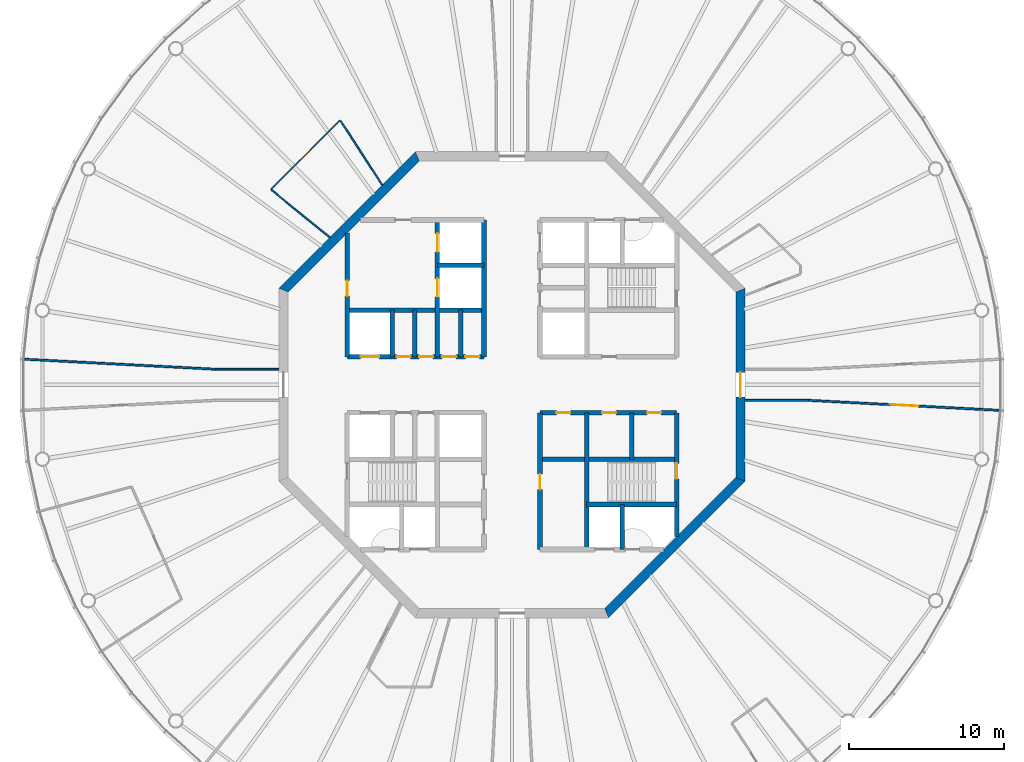
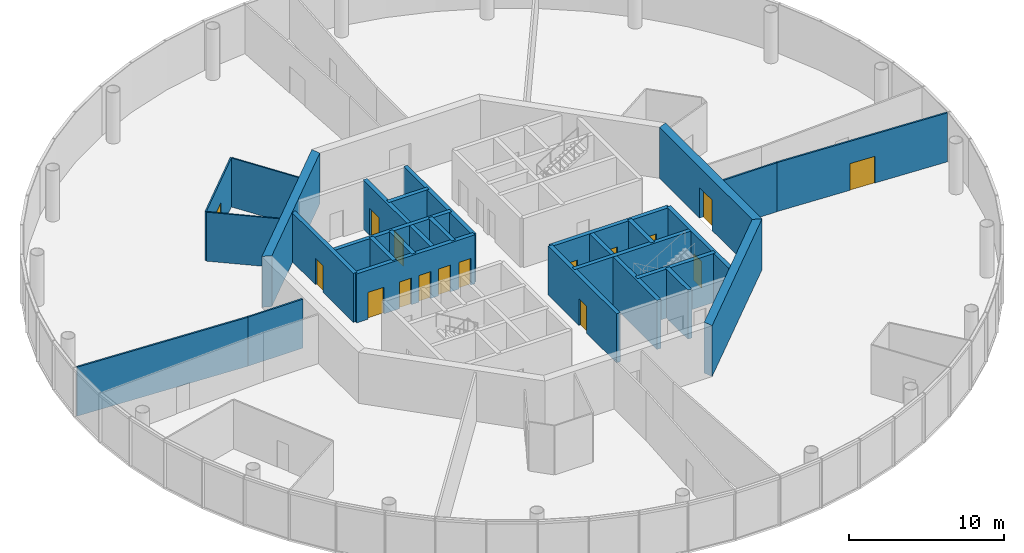
# One storey, part 4 of 13: 27 walls, 16 doors, 16 openings.
"""IFC4 building model written with IfcOpenShell, lengths in metres."""

from ifc_helpers import new_model, si_unit, direction, frame, frame_2d, origin, place, context, subcontext, project, spatial, polyline, rectangle, outline, extrude, material, layer, layer_set, type_object, element, fill, save


model = new_model("IFC4")

# Units and contexts
model_context = context("Model", 3, precision=1e-05, world=origin(), true_north=direction((0.0, 1.0)))
body_context = subcontext(model_context, "Body", "Model", "MODEL_VIEW")
ifc_project = project(units=[si_unit("LENGTHUNIT", "METRE"), si_unit("AREAUNIT", "SQUARE_METRE"), si_unit("VOLUMEUNIT", "CUBIC_METRE"), si_unit("PLANEANGLEUNIT", "RADIAN"), si_unit("MASSUNIT", "GRAM", prefix="KILO")], contexts=[model_context])

# Site, building, storey
site_placement = place(None, origin())
site = spatial("IfcSite", under=ifc_project, at=site_placement, CompositionType="ELEMENT")
building_placement = place(site_placement, origin())
building = spatial("IfcBuilding", under=site, at=building_placement, Name="Entoto Ring Tower", CompositionType="ELEMENT")
storey_placement = place(building_placement, frame((0.0, 0.0, 380.0)))
storey = spatial("IfcBuildingStorey", under=building, at=storey_placement, Name="L88", CompositionType="ELEMENT", Elevation=380.0)

# Wall, opening, door
ifc_material_1 = material(Name="Concrete C40/50", Category="concrete")
ifc_layer_1 = layer(ifc_material_1, 0.300048828125)
ifc_layer_set_1 = layer_set([ifc_layer_1], Name="Concrete C40/50")
wall_type_1 = type_object("IfcWallType", Name="Core enclosure wall 300 mm reinforced concrete", PredefinedType="SOLIDWALL", material=ifc_layer_set_1)
wall_1_placement = place(storey_placement, frame((100.60009765625, 70.2353515625, 0.0), z_axis=(0.0, 0.0, 1.0), x_axis=(0.0, 1.0, 0.0)))
wall_1 = element("IfcWall", 1, at=wall_1_placement, inside=storey, type_object=wall_type_1, Name="wall-L88-001", PredefinedType="SOLIDWALL", context=body_context, shape_type="SweptSolid", body=[
    extrude(rectangle(XDim=7.964599609375, YDim=0.300048828125, at=frame_2d((3.982421875, 0.0))), origin(), (0.0, 0.0, 1.0), 3.85009765625),
])
opening_1_placement = place(wall_1_placement, frame((3.714599609375, 0.0, 0.0)))
opening_1 = element("IfcOpeningElement", 2, at=opening_1_placement, cuts=wall_1, Name="Opening K-28", PredefinedType="OPENING", context=body_context, shape_type="SweptSolid", body=[
    extrude(rectangle(XDim=1.0, YDim=2.10009765625, at=frame_2d((0.5, 1.050048828125))), frame((0.0, 0.16015625, 0.0), z_axis=(0.0, -1.0, 0.0), x_axis=(1.0, 0.0, 0.0)), (0.0, 0.0, 1.0), 0.320068359375),
])
ifc_material_2 = material(Name="Steel door leaf, fire rated", Category="steel")
ifc_layer_2 = layer(ifc_material_2, 0.050048828125)
ifc_layer_set_2 = layer_set([ifc_layer_2], Name="Steel door leaf, fire rated")
door_type_1 = type_object("IfcDoorType", Name="Fire door FD60 1000 x 2100 single leaf", OperationType="NOTDEFINED", PredefinedType="DOOR", material=ifc_layer_set_2)
door_1_placement = place(opening_1_placement, origin())
door_1 = element("IfcDoor", 3, at=door_1_placement, inside=storey, type_object=door_type_1, Name="Door K-28", OperationType="SINGLE_SWING_RIGHT", OverallHeight=2.10009765625, OverallWidth=1.0, PredefinedType="DOOR", context=body_context, shape_type="SweptSolid", body=[
    extrude(rectangle(XDim=1.0, YDim=2.10009765625, at=frame_2d((0.5, 1.050048828125))), frame((0.0, 0.02490234375, 0.0), z_axis=(0.0, -1.0, 0.0), x_axis=(1.0, 0.0, 0.0)), (0.0, 0.0, 1.0), 0.050048828125),
])
fill(opening_1, door_1)

# Walls
wall_2_placement = place(storey_placement, frame((97.699951171875, 75.199951171875, 0.0), z_axis=(0.0, 0.0, 1.0), x_axis=(0.0, 1.0, 0.0)))
element("IfcWall", 4, at=wall_2_placement, inside=storey, type_object=wall_type_1, Name="wall-L88-003", PredefinedType="SOLIDWALL", context=body_context, shape_type="SweptSolid", body=[
    extrude(rectangle(XDim=3.0, YDim=0.300048828125, at=frame_2d((1.5, 0.0))), origin(), (0.0, 0.0, 1.0), 3.85009765625),
])
wall_3_placement = place(storey_placement, frame((97.10009765625, 69.39990234375, 0.0), z_axis=(0.0, 0.0, 1.0), x_axis=(0.0, 1.0, 0.0)))
element("IfcWall", 5, at=wall_3_placement, inside=storey, type_object=wall_type_1, Name="wall-L88-004", PredefinedType="SOLIDWALL", context=body_context, shape_type="SweptSolid", body=[
    extrude(rectangle(XDim=2.900146484375, YDim=0.300048828125, at=frame_2d((1.4501953125, 0.0))), origin(), (0.0, 0.0, 1.0), 3.85009765625),
])
wall_4_placement = place(storey_placement, frame((94.800048828125, 69.39990234375, 0.0), z_axis=(0.0, 0.0, 1.0), x_axis=(0.0, 1.0, 0.0)))
element("IfcWall", 6, at=wall_4_placement, inside=storey, type_object=wall_type_1, Name="wall-L88-006", PredefinedType="SOLIDWALL", context=body_context, shape_type="SweptSolid", body=[
    extrude(rectangle(XDim=8.800048828125, YDim=0.300048828125, at=frame_2d((4.39990234375, 0.0))), origin(), (0.0, 0.0, 1.0), 3.85009765625),
])

# Wall, opening, door
wall_5_placement = place(storey_placement, frame((91.800048828125, 69.39990234375, 0.0), z_axis=(0.0, 0.0, 1.0), x_axis=(0.0, 1.0, 0.0)))
wall_5 = element("IfcWall", 7, at=wall_5_placement, inside=storey, type_object=wall_type_1, Name="wall-L88-008", PredefinedType="SOLIDWALL", context=body_context, shape_type="SweptSolid", body=[
    extrude(rectangle(XDim=8.800048828125, YDim=0.300048828125, at=frame_2d((4.39990234375, 0.0))), origin(), (0.0, 0.0, 1.0), 3.85009765625),
])
opening_2_placement = place(wall_5_placement, frame((3.85009765625, 0.0, 0.0)))
opening_2 = element("IfcOpeningElement", 8, at=opening_2_placement, cuts=wall_5, Name="Opening K-64", PredefinedType="OPENING", context=body_context, shape_type="SweptSolid", body=[
    extrude(rectangle(XDim=1.0, YDim=2.10009765625, at=frame_2d((0.5, 1.050048828125))), frame((0.0, 0.16015625, 0.0), z_axis=(0.0, -1.0, 0.0), x_axis=(1.0, 0.0, 0.0)), (0.0, 0.0, 1.0), 0.320068359375),
])
ifc_material_3 = material(Name="Steel door leaf, fire rated", Category="steel")
ifc_layer_3 = layer(ifc_material_3, 0.050048828125)
ifc_layer_set_3 = layer_set([ifc_layer_3], Name="Steel door leaf, fire rated")
door_type_2 = type_object("IfcDoorType", Name="Accessible door 1000 x 2100 single leaf", OperationType="NOTDEFINED", PredefinedType="DOOR", material=ifc_layer_set_3)
door_2_placement = place(opening_2_placement, frame((1.0, 0.0, 0.0), z_axis=(0.0, 0.0, 1.0), x_axis=(-1.0, 0.0, 0.0)))
door_2 = element("IfcDoor", 9, at=door_2_placement, inside=storey, type_object=door_type_2, Name="Door K-64", OperationType="SINGLE_SWING_LEFT", OverallHeight=2.10009765625, OverallWidth=1.0, PredefinedType="DOOR", context=body_context, shape_type="SweptSolid", body=[
    extrude(rectangle(XDim=1.0, YDim=2.10009765625, at=frame_2d((0.5, 1.050048828125))), frame((0.0, 0.02490234375, 0.0), z_axis=(0.0, -1.0, 0.0), x_axis=(1.0, 0.0, 0.0)), (0.0, 0.0, 1.0), 0.050048828125),
])
fill(opening_2, door_2)

# Walls
wall_6_placement = place(storey_placement, frame((88.199951171875, 81.800048828125, 0.0), z_axis=(0.0, 0.0, 1.0), x_axis=(0.0, 1.0, 0.0)))
element("IfcWall", 10, at=wall_6_placement, inside=storey, type_object=wall_type_1, Name="wall-L88-011", PredefinedType="SOLIDWALL", context=body_context, shape_type="SweptSolid", body=[
    extrude(rectangle(XDim=8.800048828125, YDim=0.300048828125, at=frame_2d((4.39990234375, 0.0))), origin(), (0.0, 0.0, 1.0), 3.85009765625),
])
wall_7_placement = place(storey_placement, frame((86.699951171875, 81.800048828125, 0.0), z_axis=(0.0, 0.0, 1.0), x_axis=(0.0, 1.0, 0.0)))
element("IfcWall", 11, at=wall_7_placement, inside=storey, type_object=wall_type_1, Name="wall-L88-012", PredefinedType="SOLIDWALL", context=body_context, shape_type="SweptSolid", body=[
    extrude(rectangle(XDim=3.0, YDim=0.300048828125, at=frame_2d((1.5, 0.0))), origin(), (0.0, 0.0, 1.0), 3.85009765625),
])

# Wall, openings, doors
wall_8_placement = place(storey_placement, frame((85.199951171875, 81.800048828125, 0.0), z_axis=(0.0, 0.0, 1.0), x_axis=(0.0, 1.0, 0.0)))
wall_8 = element("IfcWall", 12, at=wall_8_placement, inside=storey, type_object=wall_type_1, Name="wall-L88-014", PredefinedType="SOLIDWALL", context=body_context, shape_type="SweptSolid", body=[
    extrude(rectangle(XDim=8.800048828125, YDim=0.300048828125, at=frame_2d((4.39990234375, 0.0))), origin(), (0.0, 0.0, 1.0), 3.85009765625),
])
opening_3_placement = place(wall_8_placement, frame((3.85009765625, 0.0, 0.0)))
opening_3 = element("IfcOpeningElement", 13, at=opening_3_placement, cuts=wall_8, Name="Opening LD", PredefinedType="OPENING", context=body_context, shape_type="SweptSolid", body=[
    extrude(rectangle(XDim=1.199951171875, YDim=2.10009765625, at=frame_2d((0.60009765625, 1.050048828125))), frame((0.0, 0.16015625, 0.0), z_axis=(0.0, -1.0, 0.0), x_axis=(1.0, 0.0, 0.0)), (0.0, 0.0, 1.0), 0.320068359375),
])
opening_4_placement = place(wall_8_placement, frame((6.75, 0.0, 0.0)))
opening_4 = element("IfcOpeningElement", 14, at=opening_4_placement, cuts=wall_8, Name="Opening LD", PredefinedType="OPENING", context=body_context, shape_type="SweptSolid", body=[
    extrude(rectangle(XDim=1.199951171875, YDim=2.10009765625, at=frame_2d((0.60009765625, 1.050048828125))), frame((0.0, 0.16015625, 0.0), z_axis=(0.0, -1.0, 0.0), x_axis=(1.0, 0.0, 0.0)), (0.0, 0.0, 1.0), 0.320068359375),
])
ifc_material_4 = material(Name="Steel and glass door leaf", Category="steel")
ifc_layer_4 = layer(ifc_material_4, 0.050048828125)
ifc_layer_set_4 = layer_set([ifc_layer_4], Name="Steel and glass door leaf")
door_type_3 = type_object("IfcDoorType", Name="Landing door 1200 x 2100 sliding", OperationType="DOUBLE_DOOR_SLIDING", PredefinedType="DOOR", material=ifc_layer_set_4)
door_3_placement = place(opening_3_placement, origin())
door_3 = element("IfcDoor", 15, at=door_3_placement, inside=storey, type_object=door_type_3, Name="Landing door FF1", OperationType="SLIDING_TO_RIGHT", OverallHeight=2.10009765625, OverallWidth=1.199951171875, PredefinedType="DOOR", context=body_context, shape_type="SweptSolid", body=[
    extrude(rectangle(XDim=1.199951171875, YDim=2.10009765625, at=frame_2d((0.60009765625, 1.050048828125))), frame((0.0, 0.02490234375, 0.0), z_axis=(0.0, -1.0, 0.0), x_axis=(1.0, 0.0, 0.0)), (0.0, 0.0, 1.0), 0.050048828125),
])
fill(opening_3, door_3)
door_4_placement = place(opening_4_placement, origin())
door_4 = element("IfcDoor", 16, at=door_4_placement, inside=storey, type_object=door_type_3, Name="Landing door FF2", OperationType="SLIDING_TO_RIGHT", OverallHeight=2.10009765625, OverallWidth=1.199951171875, PredefinedType="DOOR", context=body_context, shape_type="SweptSolid", body=[
    extrude(rectangle(XDim=1.199951171875, YDim=2.10009765625, at=frame_2d((0.60009765625, 1.050048828125))), frame((0.0, 0.02490234375, 0.0), z_axis=(0.0, -1.0, 0.0), x_axis=(1.0, 0.0, 0.0)), (0.0, 0.0, 1.0), 0.050048828125),
])
fill(opening_4, door_4)

# Walls
for number, where, z_axis, x_axis, name in (
    (17, (83.75, 81.800048828125, 0.0), (0.0, 0.0, 1.0), (0.0, 1.0, 0.0), "wall-L88-016"),
    (18, (82.300048828125, 81.800048828125, 0.0), (0.0, 0.0, 1.0), (0.0, 1.0, 0.0), "wall-L88-019"),
):
    element("IfcWall", number, at=place(storey_placement, frame(where, z_axis=z_axis, x_axis=x_axis)), inside=storey, type_object=wall_type_1, Name=name, PredefinedType="SOLIDWALL", context=body_context, shape_type="SweptSolid", body=[
        extrude(rectangle(XDim=3.0, YDim=0.300048828125, at=frame_2d((1.5, 0.0))), origin(), (0.0, 0.0, 1.0), 3.85009765625),
    ])

# Wall, opening, door
wall_9_placement = place(storey_placement, frame((79.39990234375, 81.800048828125, 0.0), z_axis=(0.0, 0.0, 1.0), x_axis=(0.0, 1.0, 0.0)))
wall_9 = element("IfcWall", 19, at=wall_9_placement, inside=storey, type_object=wall_type_1, Name="wall-L88-021", PredefinedType="SOLIDWALL", context=body_context, shape_type="SweptSolid", body=[
    extrude(rectangle(XDim=7.964599609375, YDim=0.300048828125, at=frame_2d((3.982421875, 0.0))), origin(), (0.0, 0.0, 1.0), 3.85009765625),
])
opening_5_placement = place(wall_9_placement, frame((3.89990234375, 0.0, 0.0)))
opening_5 = element("IfcOpeningElement", 20, at=opening_5_placement, cuts=wall_9, Name="Opening K-86", PredefinedType="OPENING", context=body_context, shape_type="SweptSolid", body=[
    extrude(rectangle(XDim=1.0, YDim=2.10009765625, at=frame_2d((0.5, 1.050048828125))), frame((0.0, 0.16015625, 0.0), z_axis=(0.0, -1.0, 0.0), x_axis=(1.0, 0.0, 0.0)), (0.0, 0.0, 1.0), 0.320068359375),
])
door_5_placement = place(opening_5_placement, frame((1.0, 0.0, 0.0), z_axis=(0.0, 0.0, 1.0), x_axis=(-1.0, 0.0, 0.0)))
door_5 = element("IfcDoor", 21, at=door_5_placement, inside=storey, type_object=door_type_1, Name="Door K-86", OperationType="SINGLE_SWING_RIGHT", OverallHeight=2.10009765625, OverallWidth=1.0, PredefinedType="DOOR", context=body_context, shape_type="SweptSolid", body=[
    extrude(rectangle(XDim=1.0, YDim=2.10009765625, at=frame_2d((0.5, 1.050048828125))), frame((0.0, 0.02490234375, 0.0), z_axis=(0.0, -1.0, 0.0), x_axis=(1.0, 0.0, 0.0)), (0.0, 0.0, 1.0), 0.050048828125),
])
fill(opening_5, door_5)

# Walls
wall_10_placement = place(storey_placement, frame((94.800048828125, 72.300048828125, 0.0), z_axis=(0.0, 0.0, 1.0), x_axis=(1.0, 0.0, 0.0)))
element("IfcWall", 22, at=wall_10_placement, inside=storey, type_object=wall_type_1, Name="wall-L88-025", PredefinedType="SOLIDWALL", context=body_context, shape_type="SweptSolid", body=[
    extrude(rectangle(XDim=5.800048828125, YDim=0.300048828125, at=frame_2d((2.89990234375, 0.0))), origin(), (0.0, 0.0, 1.0), 3.85009765625),
])
wall_11_placement = place(storey_placement, frame((91.800048828125, 75.199951171875, 0.0), z_axis=(0.0, 0.0, 1.0), x_axis=(1.0, 0.0, 0.0)))
element("IfcWall", 23, at=wall_11_placement, inside=storey, type_object=wall_type_1, Name="wall-L88-027", PredefinedType="SOLIDWALL", context=body_context, shape_type="SweptSolid", body=[
    extrude(rectangle(XDim=8.800048828125, YDim=0.300048828125, at=frame_2d((4.39990234375, 0.0))), origin(), (0.0, 0.0, 1.0), 3.85009765625),
])

# Wall, openings, doors
wall_12_placement = place(storey_placement, frame((91.800048828125, 78.199951171875, 0.0), z_axis=(0.0, 0.0, 1.0), x_axis=(1.0, 0.0, 0.0)))
wall_12 = element("IfcWall", 24, at=wall_12_placement, inside=storey, type_object=wall_type_1, Name="wall-L88-029", PredefinedType="SOLIDWALL", context=body_context, shape_type="SweptSolid", body=[
    extrude(rectangle(XDim=8.800048828125, YDim=0.300048828125, at=frame_2d((4.39990234375, 0.0))), origin(), (0.0, 0.0, 1.0), 3.85009765625),
])
opening_6_placement = place(wall_12_placement, frame((4.0, 0.0, 0.0)))
opening_6 = element("IfcOpeningElement", 25, at=opening_6_placement, cuts=wall_12, Name="Opening K-14", PredefinedType="OPENING", context=body_context, shape_type="SweptSolid", body=[
    extrude(rectangle(XDim=0.89990234375, YDim=2.10009765625, at=frame_2d((0.449951171875, 1.050048828125))), frame((0.0, 0.16015625, 0.0), z_axis=(0.0, -1.0, 0.0), x_axis=(1.0, 0.0, 0.0)), (0.0, 0.0, 1.0), 0.320068359375),
])
opening_7_placement = place(wall_12_placement, frame((6.89990234375, 0.0, 0.0)))
opening_7 = element("IfcOpeningElement", 26, at=opening_7_placement, cuts=wall_12, Name="Opening K-15", PredefinedType="OPENING", context=body_context, shape_type="SweptSolid", body=[
    extrude(rectangle(XDim=0.89990234375, YDim=2.10009765625, at=frame_2d((0.449951171875, 1.050048828125))), frame((0.0, 0.16015625, 0.0), z_axis=(0.0, -1.0, 0.0), x_axis=(1.0, 0.0, 0.0)), (0.0, 0.0, 1.0), 0.320068359375),
])
opening_8_placement = place(wall_12_placement, frame((1.050048828125, 0.0, 0.0)))
opening_8 = element("IfcOpeningElement", 27, at=opening_8_placement, cuts=wall_12, Name="Opening K-25", PredefinedType="OPENING", context=body_context, shape_type="SweptSolid", body=[
    extrude(rectangle(XDim=0.89990234375, YDim=2.10009765625, at=frame_2d((0.449951171875, 1.050048828125))), frame((0.0, 0.16015625, 0.0), z_axis=(0.0, -1.0, 0.0), x_axis=(1.0, 0.0, 0.0)), (0.0, 0.0, 1.0), 0.320068359375),
])
ifc_material_5 = material(Name="Steel door leaf, fire rated", Category="steel")
ifc_layer_5 = layer(ifc_material_5, 0.050048828125)
ifc_layer_set_5 = layer_set([ifc_layer_5], Name="Steel door leaf, fire rated")
door_type_4 = type_object("IfcDoorType", Name="Core door 900 x 2100 single leaf", OperationType="NOTDEFINED", PredefinedType="DOOR", material=ifc_layer_set_5)
door_6_placement = place(opening_6_placement, frame((0.89990234375, 0.0, 0.0), z_axis=(0.0, 0.0, 1.0), x_axis=(-1.0, 0.0, 0.0)))
door_6 = element("IfcDoor", 28, at=door_6_placement, inside=storey, type_object=door_type_4, Name="Door K-14", OperationType="SINGLE_SWING_RIGHT", OverallHeight=2.10009765625, OverallWidth=0.89990234375, PredefinedType="DOOR", context=body_context, shape_type="SweptSolid", body=[
    extrude(rectangle(XDim=0.89990234375, YDim=2.10009765625, at=frame_2d((0.449951171875, 1.050048828125))), frame((0.0, 0.02490234375, 0.0), z_axis=(0.0, -1.0, 0.0), x_axis=(1.0, 0.0, 0.0)), (0.0, 0.0, 1.0), 0.050048828125),
])
fill(opening_6, door_6)
door_7_placement = place(opening_7_placement, frame((0.89990234375, 0.0, 0.0), z_axis=(0.0, 0.0, 1.0), x_axis=(-1.0, 0.0, 0.0)))
door_7 = element("IfcDoor", 29, at=door_7_placement, inside=storey, type_object=door_type_4, Name="Door K-15", OperationType="SINGLE_SWING_LEFT", OverallHeight=2.10009765625, OverallWidth=0.89990234375, PredefinedType="DOOR", context=body_context, shape_type="SweptSolid", body=[
    extrude(rectangle(XDim=0.89990234375, YDim=2.10009765625, at=frame_2d((0.449951171875, 1.050048828125))), frame((0.0, 0.02490234375, 0.0), z_axis=(0.0, -1.0, 0.0), x_axis=(1.0, 0.0, 0.0)), (0.0, 0.0, 1.0), 0.050048828125),
])
fill(opening_7, door_7)
door_8_placement = place(opening_8_placement, frame((0.89990234375, 0.0, 0.0), z_axis=(0.0, 0.0, 1.0), x_axis=(-1.0, 0.0, 0.0)))
door_8 = element("IfcDoor", 30, at=door_8_placement, inside=storey, type_object=door_type_4, Name="Door K-25", OperationType="SINGLE_SWING_RIGHT", OverallHeight=2.10009765625, OverallWidth=0.89990234375, PredefinedType="DOOR", context=body_context, shape_type="SweptSolid", body=[
    extrude(rectangle(XDim=0.89990234375, YDim=2.10009765625, at=frame_2d((0.449951171875, 1.050048828125))), frame((0.0, 0.02490234375, 0.0), z_axis=(0.0, -1.0, 0.0), x_axis=(1.0, 0.0, 0.0)), (0.0, 0.0, 1.0), 0.050048828125),
])
fill(opening_8, door_8)

wall_13_placement = place(storey_placement, frame((79.39990234375, 81.800048828125, 0.0), z_axis=(0.0, 0.0, 1.0), x_axis=(1.0, 0.0, 0.0)))
wall_13 = element("IfcWall", 31, at=wall_13_placement, inside=storey, type_object=wall_type_1, Name="wall-L88-030", PredefinedType="SOLIDWALL", context=body_context, shape_type="SweptSolid", body=[
    extrude(rectangle(XDim=8.800048828125, YDim=0.300048828125, at=frame_2d((4.39990234375, 0.0))), origin(), (0.0, 0.0, 1.0), 3.85009765625),
])
opening_9_placement = place(wall_13_placement, frame((0.85009765625, 0.0, 0.0)))
opening_9 = element("IfcOpeningElement", 32, at=opening_9_placement, cuts=wall_13, Name="Opening LD", PredefinedType="OPENING", context=body_context, shape_type="SweptSolid", body=[
    extrude(rectangle(XDim=1.199951171875, YDim=2.10009765625, at=frame_2d((0.60009765625, 1.050048828125))), frame((0.0, 0.16015625, 0.0), z_axis=(0.0, -1.0, 0.0), x_axis=(1.0, 0.0, 0.0)), (0.0, 0.0, 1.0), 0.320068359375),
])
opening_10_placement = place(wall_13_placement, frame((3.175048828125, 0.0, 0.0)))
opening_10 = element("IfcOpeningElement", 33, at=opening_10_placement, cuts=wall_13, Name="Opening K-12", PredefinedType="OPENING", context=body_context, shape_type="SweptSolid", body=[
    extrude(rectangle(XDim=0.89990234375, YDim=2.10009765625, at=frame_2d((0.449951171875, 1.050048828125))), frame((0.0, 0.16015625, 0.0), z_axis=(0.0, -1.0, 0.0), x_axis=(1.0, 0.0, 0.0)), (0.0, 0.0, 1.0), 0.320068359375),
])
opening_11_placement = place(wall_13_placement, frame((4.625, 0.0, 0.0)))
opening_11 = element("IfcOpeningElement", 34, at=opening_11_placement, cuts=wall_13, Name="Opening K-46", PredefinedType="OPENING", context=body_context, shape_type="SweptSolid", body=[
    extrude(rectangle(XDim=0.89990234375, YDim=2.10009765625, at=frame_2d((0.449951171875, 1.050048828125))), frame((0.0, 0.16015625, 0.0), z_axis=(0.0, -1.0, 0.0), x_axis=(1.0, 0.0, 0.0)), (0.0, 0.0, 1.0), 0.320068359375),
])
opening_12_placement = place(wall_13_placement, frame((6.10009765625, 0.0, 0.0)))
opening_12 = element("IfcOpeningElement", 35, at=opening_12_placement, cuts=wall_13, Name="Opening K-71", PredefinedType="OPENING", context=body_context, shape_type="SweptSolid", body=[
    extrude(rectangle(XDim=0.89990234375, YDim=2.10009765625, at=frame_2d((0.449951171875, 1.050048828125))), frame((0.0, 0.16015625, 0.0), z_axis=(0.0, -1.0, 0.0), x_axis=(1.0, 0.0, 0.0)), (0.0, 0.0, 1.0), 0.320068359375),
])
opening_13_placement = place(wall_13_placement, frame((7.60009765625, 0.0, 0.0)))
opening_13 = element("IfcOpeningElement", 36, at=opening_13_placement, cuts=wall_13, Name="Opening K-24", PredefinedType="OPENING", context=body_context, shape_type="SweptSolid", body=[
    extrude(rectangle(XDim=0.89990234375, YDim=2.10009765625, at=frame_2d((0.449951171875, 1.050048828125))), frame((0.0, 0.16015625, 0.0), z_axis=(0.0, -1.0, 0.0), x_axis=(1.0, 0.0, 0.0)), (0.0, 0.0, 1.0), 0.320068359375),
])
door_9_placement = place(opening_10_placement, origin())
door_9 = element("IfcDoor", 37, at=door_9_placement, inside=storey, type_object=door_type_4, Name="Door K-12", OperationType="SINGLE_SWING_RIGHT", OverallHeight=2.10009765625, OverallWidth=0.89990234375, PredefinedType="DOOR", context=body_context, shape_type="SweptSolid", body=[
    extrude(rectangle(XDim=0.89990234375, YDim=2.10009765625, at=frame_2d((0.449951171875, 1.050048828125))), frame((0.0, 0.02490234375, 0.0), z_axis=(0.0, -1.0, 0.0), x_axis=(1.0, 0.0, 0.0)), (0.0, 0.0, 1.0), 0.050048828125),
])
fill(opening_10, door_9)
door_10_placement = place(opening_11_placement, origin())
door_10 = element("IfcDoor", 38, at=door_10_placement, inside=storey, type_object=door_type_4, Name="Door K-46", OperationType="SINGLE_SWING_RIGHT", OverallHeight=2.10009765625, OverallWidth=0.89990234375, PredefinedType="DOOR", context=body_context, shape_type="SweptSolid", body=[
    extrude(rectangle(XDim=0.89990234375, YDim=2.10009765625, at=frame_2d((0.449951171875, 1.050048828125))), frame((0.0, 0.02490234375, 0.0), z_axis=(0.0, -1.0, 0.0), x_axis=(1.0, 0.0, 0.0)), (0.0, 0.0, 1.0), 0.050048828125),
])
fill(opening_11, door_10)
door_11_placement = place(opening_12_placement, origin())
door_11 = element("IfcDoor", 39, at=door_11_placement, inside=storey, type_object=door_type_4, Name="Door K-71", OperationType="SINGLE_SWING_LEFT", OverallHeight=2.10009765625, OverallWidth=0.89990234375, PredefinedType="DOOR", context=body_context, shape_type="SweptSolid", body=[
    extrude(rectangle(XDim=0.89990234375, YDim=2.10009765625, at=frame_2d((0.449951171875, 1.050048828125))), frame((0.0, 0.02490234375, 0.0), z_axis=(0.0, -1.0, 0.0), x_axis=(1.0, 0.0, 0.0)), (0.0, 0.0, 1.0), 0.050048828125),
])
fill(opening_12, door_11)
door_12_placement = place(opening_13_placement, origin())
door_12 = element("IfcDoor", 40, at=door_12_placement, inside=storey, type_object=door_type_4, Name="Door K-24", OperationType="SINGLE_SWING_LEFT", OverallHeight=2.10009765625, OverallWidth=0.89990234375, PredefinedType="DOOR", context=body_context, shape_type="SweptSolid", body=[
    extrude(rectangle(XDim=0.89990234375, YDim=2.10009765625, at=frame_2d((0.449951171875, 1.050048828125))), frame((0.0, 0.02490234375, 0.0), z_axis=(0.0, -1.0, 0.0), x_axis=(1.0, 0.0, 0.0)), (0.0, 0.0, 1.0), 0.050048828125),
])
fill(opening_13, door_12)
door_13_placement = place(opening_9_placement, origin())
door_13 = element("IfcDoor", 41, at=door_13_placement, inside=storey, type_object=door_type_3, Name="Landing door SH1", OperationType="SLIDING_TO_RIGHT", OverallHeight=2.10009765625, OverallWidth=1.199951171875, PredefinedType="DOOR", context=body_context, shape_type="SweptSolid", body=[
    extrude(rectangle(XDim=1.199951171875, YDim=2.10009765625, at=frame_2d((0.60009765625, 1.050048828125))), frame((0.0, 0.02490234375, 0.0), z_axis=(0.0, -1.0, 0.0), x_axis=(1.0, 0.0, 0.0)), (0.0, 0.0, 1.0), 0.050048828125),
])
fill(opening_9, door_13)

# Walls
wall_14_placement = place(storey_placement, frame((79.39990234375, 84.800048828125, 0.0), z_axis=(0.0, 0.0, 1.0), x_axis=(1.0, 0.0, 0.0)))
element("IfcWall", 42, at=wall_14_placement, inside=storey, type_object=wall_type_1, Name="wall-L88-032", PredefinedType="SOLIDWALL", context=body_context, shape_type="SweptSolid", body=[
    extrude(rectangle(XDim=8.800048828125, YDim=0.300048828125, at=frame_2d((4.39990234375, 0.0))), origin(), (0.0, 0.0, 1.0), 3.85009765625),
])
wall_15_placement = place(storey_placement, frame((85.199951171875, 87.699951171875, 0.0), z_axis=(0.0, 0.0, 1.0), x_axis=(1.0, 0.0, 0.0)))
element("IfcWall", 43, at=wall_15_placement, inside=storey, type_object=wall_type_1, Name="wall-L88-035", PredefinedType="SOLIDWALL", context=body_context, shape_type="SweptSolid", body=[
    extrude(rectangle(XDim=3.0, YDim=0.300048828125, at=frame_2d((1.5, 0.0))), origin(), (0.0, 0.0, 1.0), 3.85009765625),
])

# Wall, opening, door
ifc_material_6 = material(Name="Concrete C40/50", Category="concrete")
ifc_layer_6 = layer(ifc_material_6, 0.60009765625)
ifc_layer_set_6 = layer_set([ifc_layer_6], Name="Concrete C40/50")
wall_type_2 = type_object("IfcWallType", Name="Core shear wall 600 mm reinforced concrete C40/50", PredefinedType="SHEAR", material=ifc_layer_set_6)
wall_16_placement = place(storey_placement, frame((104.699951171875, 73.9111328125, 0.0), z_axis=(0.0, 0.0, 1.0), x_axis=(0.0, 1.0, 0.0)))
wall_16 = element("IfcWall", 44, at=wall_16_placement, inside=storey, type_object=wall_type_2, Name="wall-L88-core-0", PredefinedType="SHEAR", context=body_context, shape_type="SweptSolid", body=[
    extrude(outline(polyline([(-0.124267578125, -0.300048828125), (12.302001953125, -0.300048828125), (12.053466796875, 0.300048828125), (0.124267578125, 0.300048828125), (-0.124267578125, -0.300048828125)])), origin(), (0.0, 0.0, 1.0), 4.0),
])
opening_14_placement = place(wall_16_placement, frame((5.288818359375, 0.0, 0.0)))
opening_14 = element("IfcOpeningElement", 45, at=opening_14_placement, cuts=wall_16, Name="Opening K-01", PredefinedType="OPENING", context=body_context, shape_type="SweptSolid", body=[
    extrude(rectangle(XDim=1.60009765625, YDim=2.39990234375, at=frame_2d((0.800048828125, 1.199951171875))), frame((0.0, 0.31005859375, 0.0), z_axis=(0.0, -1.0, 0.0), x_axis=(1.0, 0.0, 0.0)), (0.0, 0.0, 1.0), 0.6201171875),
])
ifc_material_7 = material(Name="Steel door leaf, fire rated", Category="steel")
ifc_layer_7 = layer(ifc_material_7, 0.050048828125)
ifc_layer_set_7 = layer_set([ifc_layer_7], Name="Steel door leaf, fire rated")
door_type_5 = type_object("IfcDoorType", Name="Entrance door FD60 1600 x 2400 double leaf", OperationType="DOUBLE_DOOR_SINGLE_SWING", PredefinedType="DOOR", material=ifc_layer_set_7)
door_14_placement = place(opening_14_placement, origin())
door_14 = element("IfcDoor", 46, at=door_14_placement, inside=storey, type_object=door_type_5, Name="Entrance door K-01", OperationType="DOUBLE_DOOR_SINGLE_SWING", OverallHeight=2.39990234375, OverallWidth=1.60009765625, PredefinedType="DOOR", context=body_context, shape_type="SweptSolid", body=[
    extrude(rectangle(XDim=1.60009765625, YDim=2.39990234375, at=frame_2d((0.800048828125, 1.199951171875))), frame((0.0, 0.02490234375, 0.0), z_axis=(0.0, -1.0, 0.0), x_axis=(1.0, 0.0, 0.0)), (0.0, 0.0, 1.0), 0.050048828125),
])
fill(opening_14, door_14)

# Walls
for number, where, z_axis, x_axis, name in (
    (47, (83.9111328125, 94.699951171875, 0.0), (0.0, 0.0, 1.0), (-0.707106781187, -0.707106781187, 0.0), "wall-L88-core-3"),
    (48, (96.0888671875, 65.300048828125, 0.0), (0.0, 0.0, 1.0), (0.707106781187, 0.707106781187, 0.0), "wall-L88-core-7"),
):
    element("IfcWall", number, at=place(storey_placement, frame(where, z_axis=z_axis, x_axis=x_axis)), inside=storey, type_object=wall_type_2, Name=name, PredefinedType="SHEAR", context=body_context, shape_type="SweptSolid", body=[
        extrude(outline(polyline([(-0.124267578125, -0.300048828125), (12.30224609375, -0.300048828125), (12.0537109375, 0.300048828125), (0.124267578125, 0.300048828125), (-0.124267578125, -0.300048828125)])), origin(), (0.0, 0.0, 1.0), 4.0),
    ])
ifc_material_8 = material(Name="Fire-resisting plasterboard on steel studs", Category="steel")
ifc_layer_8 = layer(ifc_material_8, 0.125)
ifc_layer_set_8 = layer_set([ifc_layer_8], Name="Fire-resisting plasterboard on steel studs")
wall_type_3 = type_object("IfcWallType", Name="Corridor wall 125 mm one-hour plasterboard on steel studs", PredefinedType="PARTITIONING", material=ifc_layer_set_8)
wall_17_placement = place(storey_placement, frame((70.9189453125, 81.0, 0.0), z_axis=(0.0, 0.0, 1.0), x_axis=(-0.998629289366, 0.052340638328, 0.0)))
element("IfcWall", 49, at=wall_17_placement, inside=storey, type_object=wall_type_3, Name="partition-L88-002", PredefinedType="PARTITIONING", context=body_context, shape_type="SweptSolid", body=[
    extrude(rectangle(XDim=12.332763671875, YDim=0.125, at=frame_2d((6.16650390625, 0.0))), origin(), (0.0, 0.0, 1.0), 3.85009765625),
])

# Wall, opening, door
wall_18_placement = place(storey_placement, frame((121.39697265625, 78.3544921875, 0.0), z_axis=(0.0, 0.0, 1.0), x_axis=(-0.998629289366, 0.052340638328, 0.0)))
wall_18 = element("IfcWall", 50, at=wall_18_placement, inside=storey, type_object=wall_type_3, Name="partition-L88-008", PredefinedType="PARTITIONING", context=body_context, shape_type="SweptSolid", body=[
    extrude(rectangle(XDim=12.332763671875, YDim=0.125, at=frame_2d((6.16650390625, 0.0))), origin(), (0.0, 0.0, 1.0), 3.85009765625),
])
opening_15_placement = place(wall_18_placement, frame((5.266357421875, 0.0, 0.0)))
opening_15 = element("IfcOpeningElement", 51, at=opening_15_placement, cuts=wall_18, Name="Opening A37-D10", PredefinedType="OPENING", context=body_context, shape_type="SweptSolid", body=[
    extrude(rectangle(XDim=1.800048828125, YDim=2.10009765625, at=frame_2d((0.89990234375, 1.050048828125))), frame((0.0, 0.072509765625, 0.0), z_axis=(0.0, -1.0, 0.0), x_axis=(1.0, 0.0, 0.0)), (0.0, 0.0, 1.0), 0.14501953125),
])
ifc_material_9 = material(Name="Fire-resisting timber door set", Category="wood")
door_type_6 = type_object("IfcDoorType", Name="Door 1800 x 2100 double leaf FD30S fire door", OperationType="DOUBLE_DOOR_SINGLE_SWING", PredefinedType="DOOR", material=ifc_material_9)
door_15_placement = place(opening_15_placement, frame((1.800048828125, 0.0, 0.0), z_axis=(0.0, 0.0, 1.0), x_axis=(-1.0, 0.0, 0.0)))
door_15 = element("IfcDoor", 52, at=door_15_placement, inside=storey, type_object=door_type_6, Name="Door A37-D10", OperationType="DOUBLE_DOOR_SINGLE_SWING", OverallHeight=2.10009765625, OverallWidth=1.800048828125, PredefinedType="DOOR", context=body_context, shape_type="SweptSolid", body=[
    extrude(rectangle(XDim=1.800048828125, YDim=2.10009765625, at=frame_2d((0.89990234375, 1.050048828125))), frame((0.0, 0.02490234375, 0.0), z_axis=(0.0, -1.0, 0.0), x_axis=(1.0, 0.0, 0.0)), (0.0, 0.0, 1.0), 0.050048828125),
])
fill(opening_15, door_15)

# Walls
for number, where, z_axis, x_axis, name in (
    (53, (70.922119140625, 81.0, 0.0), (0.0, 0.0, 1.0), (1.0, 0.0, 0.0), "partition-L88-010"),
    (54, (105.0, 79.0, 0.0), (0.0, 0.0, 1.0), (1.0, 0.0, 0.0), "partition-L88-015"),
):
    element("IfcWall", number, at=place(storey_placement, frame(where, z_axis=z_axis, x_axis=x_axis)), inside=storey, type_object=wall_type_3, Name=name, PredefinedType="PARTITIONING", context=body_context, shape_type="SweptSolid", body=[
        extrude(rectangle(XDim=4.077880859375, YDim=0.125, at=frame_2d((2.0390625, 0.0))), origin(), (0.0, 0.0, 1.0), 3.85009765625),
    ])

# Wall, opening, door
ifc_material_10 = material(Name="Plasterboard on steel studs", Category="steel")
ifc_layer_9 = layer(ifc_material_10, 0.10009765625)
ifc_layer_set_9 = layer_set([ifc_layer_9], Name="Plasterboard on steel studs")
wall_type_4 = type_object("IfcWallType", Name="Partition 100 mm plasterboard on steel studs", PredefinedType="PARTITIONING", material=ifc_layer_set_9)
wall_19_placement = place(storey_placement, frame((74.48095703125, 92.567138671875, 0.0), z_axis=(0.0, 0.0, 1.0), x_axis=(0.707106781187, 0.707106781187, 0.0)))
wall_19 = element("IfcWall", 55, at=wall_19_placement, inside=storey, type_object=wall_type_4, Name="partition-L88-020", PredefinedType="PARTITIONING", context=body_context, shape_type="SweptSolid", body=[
    extrude(rectangle(XDim=6.308837890625, YDim=0.10009765625, at=frame_2d((3.154296875, 0.0))), origin(), (0.0, 0.0, 1.0), 3.85009765625),
])
opening_16_placement = place(wall_19_placement, frame((2.704345703125, 0.0, 0.0)))
opening_16 = element("IfcOpeningElement", 56, at=opening_16_placement, cuts=wall_19, Name="Opening A37-D05", PredefinedType="OPENING", context=body_context, shape_type="SweptSolid", body=[
    extrude(rectangle(XDim=0.89990234375, YDim=2.10009765625, at=frame_2d((0.449951171875, 1.050048828125))), frame((0.0, 0.06005859375, 0.0), z_axis=(0.0, -1.0, 0.0), x_axis=(1.0, 0.0, 0.0)), (0.0, 0.0, 1.0), 0.1201171875),
])
ifc_material_11 = material(Name="Veneered timber door leaf in timber frame", Category="wood")
door_type_7 = type_object("IfcDoorType", Name="Door 900 x 2100 single leaf timber veneer", OperationType="NOTDEFINED", PredefinedType="DOOR", material=ifc_material_11)
door_16_placement = place(opening_16_placement, frame((0.89990234375, 0.0, 0.0), z_axis=(0.0, 0.0, 1.0), x_axis=(-1.0, 0.0, 0.0)))
door_16 = element("IfcDoor", 57, at=door_16_placement, inside=storey, type_object=door_type_7, Name="Door A37-D05", OperationType="SINGLE_SWING_LEFT", OverallHeight=2.10009765625, OverallWidth=0.89990234375, PredefinedType="DOOR", context=body_context, shape_type="SweptSolid", body=[
    extrude(rectangle(XDim=0.89990234375, YDim=2.10009765625, at=frame_2d((0.449951171875, 1.050048828125))), frame((0.0, 0.02490234375, 0.0), z_axis=(0.0, -1.0, 0.0), x_axis=(1.0, 0.0, 0.0)), (0.0, 0.0, 1.0), 0.050048828125),
])
fill(opening_16, door_16)

# Walls
wall_20_placement = place(storey_placement, frame((81.64794921875, 92.861083984375, 0.0), z_axis=(0.0, 0.0, 1.0), x_axis=(-0.544659528562, 0.838657258924, 0.0)))
element("IfcWall", 58, at=wall_20_placement, inside=storey, type_object=wall_type_4, Name="partition-L88-025", PredefinedType="PARTITIONING", context=body_context, shape_type="SweptSolid", body=[
    extrude(rectangle(XDim=4.906982421875, YDim=0.10009765625, at=frame_2d((2.45361328125, 0.0))), origin(), (0.0, 0.0, 1.0), 3.85009765625),
])
wall_21_placement = place(storey_placement, frame((78.278564453125, 89.49169921875, 0.0), z_axis=(0.0, 0.0, 1.0), x_axis=(-0.777137772297, 0.629330503686, 0.0)))
element("IfcWall", 59, at=wall_21_placement, inside=storey, type_object=wall_type_4, Name="partition-L88-026", PredefinedType="PARTITIONING", context=body_context, shape_type="SweptSolid", body=[
    extrude(rectangle(XDim=4.831298828125, YDim=0.10009765625, at=frame_2d((2.41552734375, 0.0))), origin(), (0.0, 0.0, 1.0), 3.85009765625),
])

save(model, "model.ifc")
